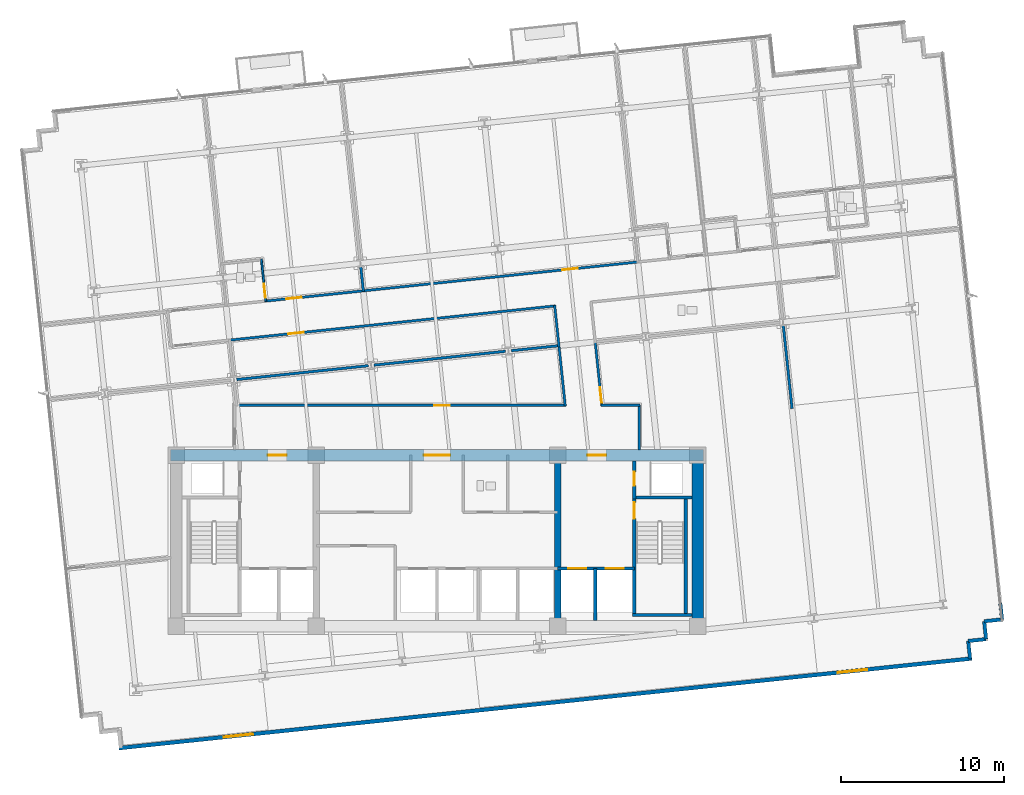
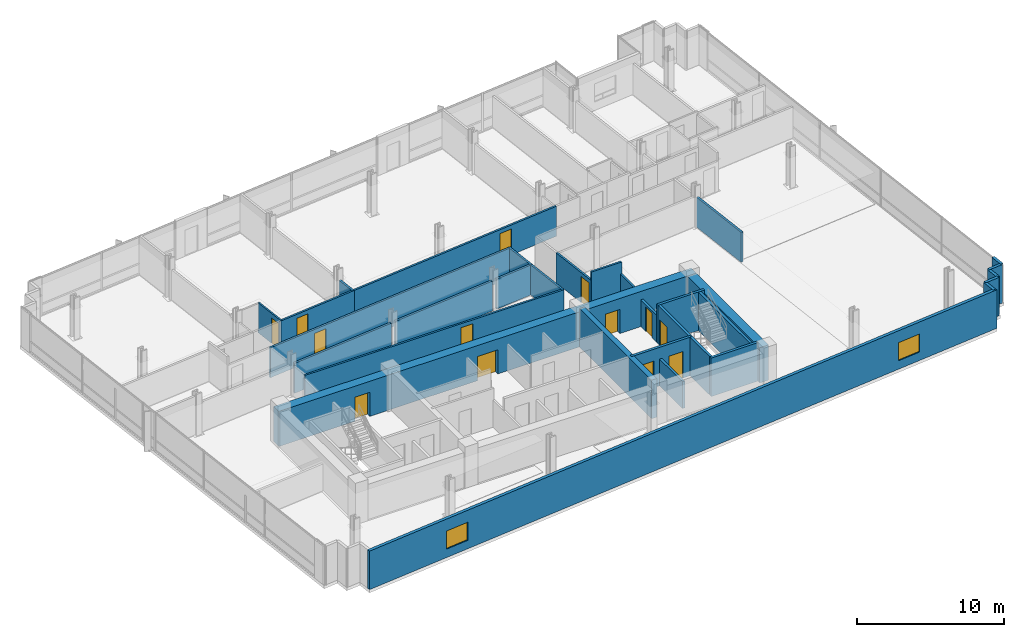
# One storey, part 14 of 20: 31 walls, 13 doors, 2 windows, 15 openings.
"""IFC4 building model written with IfcOpenShell, lengths in metres."""

from ifc_helpers import new_model, si_unit, direction, frame, frame_2d, origin, place, context, subcontext, project, spatial, rectangle, extrude, material, layer, layer_set, type_object, element, fill, save


model = new_model("IFC4")

# Units and contexts
model_context = context("Model", 3, precision=1e-05, world=origin(), true_north=direction((0.0, 1.0)))
body_context = subcontext(model_context, "Body", "Model", "MODEL_VIEW")
ifc_project = project(units=[si_unit("LENGTHUNIT", "METRE"), si_unit("AREAUNIT", "SQUARE_METRE"), si_unit("VOLUMEUNIT", "CUBIC_METRE"), si_unit("PLANEANGLEUNIT", "RADIAN"), si_unit("MASSUNIT", "GRAM", prefix="KILO")], contexts=[model_context])

# Site, building, storey
site_placement = place(None, origin())
site = spatial("IfcSite", under=ifc_project, at=site_placement, CompositionType="ELEMENT")
building_placement = place(site_placement, origin())
building = spatial("IfcBuilding", under=site, at=building_placement, Name="Solmavex Isthmus Hotel", CompositionType="ELEMENT")
storey_placement = place(building_placement, frame((0.0, 0.0, 109.800048828125)))
storey = spatial("IfcBuildingStorey", under=building, at=storey_placement, Name="L29", CompositionType="ELEMENT", Elevation=109.800048828125)

# Wall, openings, windows
ifc_material_1 = material(Name="Precast Concrete C40/50", Category="concrete")
ifc_layer_1 = layer(ifc_material_1, 0.25)
ifc_layer_set_1 = layer_set([ifc_layer_1], Name="Precast Concrete C40/50")
wall_type_1 = type_object("IfcWallType", Name="EW-TWR-250", PredefinedType="STANDARD", material=ifc_layer_set_1)
wall_1_placement = place(storey_placement, frame((-19.504150390625, -20.4716796875, 0.0), z_axis=(0.0, 0.0, 1.0), x_axis=(0.994521743132, 0.104529911687, 0.0)))
wall_1 = element("IfcWall", 1, at=wall_1_placement, inside=storey, type_object=wall_type_1, Name="Tower Rear South Facade Wall L29", PredefinedType="STANDARD", context=body_context, shape_type="SweptSolid", body=[
    extrude(rectangle(XDim=52.60009765625, YDim=0.239990234375, at=frame_2d((26.300048828125, 0.0))), origin(), (0.0, 0.0, 1.0), 3.18994140625),
])
opening_1_placement = place(wall_1_placement, frame((6.464111328125, 0.0, 0.699951171875)))
opening_1 = element("IfcOpeningElement", 2, at=opening_1_placement, cuts=wall_1, Name="Opening WN-02", PredefinedType="OPENING", context=body_context, shape_type="SweptSolid", body=[
    extrude(rectangle(XDim=1.800048828125, YDim=1.5, at=frame_2d((0.89990234375, 0.75))), frame((0.0, 0.1298828125, 0.0), z_axis=(0.0, -1.0, 0.0), x_axis=(1.0, 0.0, 0.0)), (0.0, 0.0, 1.0), 0.260009765625),
])
opening_2_placement = place(wall_1_placement, frame((44.3359375, 0.0, 0.699951171875)))
opening_2 = element("IfcOpeningElement", 3, at=opening_2_placement, cuts=wall_1, Name="Opening WN-02", PredefinedType="OPENING", context=body_context, shape_type="SweptSolid", body=[
    extrude(rectangle(XDim=1.800048828125, YDim=1.5, at=frame_2d((0.89990234375, 0.75))), frame((0.0, 0.1298828125, 0.0), z_axis=(0.0, -1.0, 0.0), x_axis=(1.0, 0.0, 0.0)), (0.0, 0.0, 1.0), 0.260009765625),
])
ifc_material_2 = material(Name="Clear low-E laminated glass", Category="glass")
window_type = type_object("IfcWindowType", Name="WIN-TWR-1800", PartitioningType="SINGLE_PANEL", PredefinedType="WINDOW", material=ifc_material_2)
window_1_placement = place(opening_1_placement, origin())
window_1 = element("IfcWindow", 4, at=window_1_placement, inside=storey, type_object=window_type, Name="South Facade Vision Window L29-S1", OverallHeight=1.5, OverallWidth=1.800048828125, PartitioningType="SINGLE_PANEL", PredefinedType="WINDOW", context=body_context, shape_type="SweptSolid", body=[
    extrude(rectangle(XDim=1.800048828125, YDim=1.5, at=frame_2d((0.89990234375, 0.75))), frame((0.0, 0.030029296875, 0.0), z_axis=(0.0, -1.0, 0.0), x_axis=(1.0, 0.0, 0.0)), (0.0, 0.0, 1.0), 0.06005859375),
])
fill(opening_1, window_1)
window_2_placement = place(opening_2_placement, origin())
window_2 = element("IfcWindow", 5, at=window_2_placement, inside=storey, type_object=window_type, Name="South Facade Vision Window L29-S2", OverallHeight=1.5, OverallWidth=1.800048828125, PartitioningType="SINGLE_PANEL", PredefinedType="WINDOW", context=body_context, shape_type="SweptSolid", body=[
    extrude(rectangle(XDim=1.800048828125, YDim=1.5, at=frame_2d((0.89990234375, 0.75))), frame((0.0, 0.030029296875, 0.0), z_axis=(0.0, -1.0, 0.0), x_axis=(1.0, 0.0, 0.0)), (0.0, 0.0, 1.0), 0.06005859375),
])
fill(opening_2, window_2)

# Walls
wall_2_placement = place(storey_placement, frame((34.553955078125, -11.59228515625, 0.0), z_axis=(0.0, 0.0, 1.0), x_axis=(0.104556418955, -0.99451895671, 0.0)))
element("IfcWall", 6, at=wall_2_placement, inside=storey, type_object=wall_type_1, Name="Serrated Corner Facade Panel L29-21", PredefinedType="STANDARD", context=body_context, shape_type="SweptSolid", body=[
    extrude(rectangle(XDim=0.989990234375, YDim=0.219970703125, at=frame_2d((0.4951171875, 0.0))), origin(), (0.0, 0.0, 1.0), 3.18994140625),
])
for number, where, z_axis, x_axis, name in (
    (7, (34.657470703125, -12.576904296875, 0.0), (0.0, 0.0, 1.0), (-0.994521251134, -0.104534592565, 0.0), "Serrated Corner Facade Panel L29-22"),
    (8, (33.5634765625, -12.69189453125, 0.0), (0.0, 0.0, 1.0), (0.104534592565, -0.994521251134, 0.0), "Serrated Corner Facade Panel L29-23"),
    (9, (33.678466796875, -13.785888671875, 0.0), (0.0, 0.0, 1.0), (-0.994521251134, -0.104534592565, 0.0), "Serrated Corner Facade Panel L29-24"),
    (10, (32.58447265625, -13.90087890625, 0.0), (0.0, 0.0, 1.0), (0.104534592565, -0.994521251134, 0.0), "Serrated Corner Facade Panel L29-25"),
):
    element("IfcWall", number, at=place(storey_placement, frame(where, z_axis=z_axis, x_axis=x_axis)), inside=storey, type_object=wall_type_1, Name=name, PredefinedType="STANDARD", context=body_context, shape_type="SweptSolid", body=[
        extrude(rectangle(XDim=1.10009765625, YDim=0.219970703125, at=frame_2d((0.550048828125, 0.0))), origin(), (0.0, 0.0, 1.0), 3.18994140625),
    ])
ifc_material_3 = material(Name="Gypsum plasterboard lining", Category="gypsum")
ifc_layer_2 = layer(ifc_material_3, 0.159912109375)
ifc_layer_set_2 = layer_set([ifc_layer_2], Name="Gypsum plasterboard lining")
wall_type_2 = type_object("IfcWallType", Name="IW-COMP-160", PredefinedType="PARTITIONING", material=ifc_layer_set_2)
wall_3_placement = place(storey_placement, frame((-4.678955078125, 9.091796875, 0.0), z_axis=(0.0, 0.0, 1.0), x_axis=(0.104424383811, -0.994532829054, 0.0)))
element("IfcWall", 11, at=wall_3_placement, inside=storey, type_object=wall_type_2, Name="Interior Partition Wall W-L29-P032", PredefinedType="PARTITIONING", context=body_context, shape_type="SweptSolid", body=[
    extrude(rectangle(XDim=1.561767578125, YDim=0.159912109375, at=frame_2d((0.78076171875, 0.0))), origin(), (0.0, 0.0, 1.0), 2.4794921875),
])
wall_4_placement = place(storey_placement, frame((-4.21435546875, 2.985107421875, 0.0), z_axis=(0.0, 0.0, 1.0), x_axis=(-0.994521269983, -0.104534413238, 0.0)))
element("IfcWall", 12, at=wall_4_placement, inside=storey, type_object=wall_type_2, Name="Interior Partition Wall W-L29-P060", PredefinedType="PARTITIONING", context=body_context, shape_type="SweptSolid", body=[
    extrude(rectangle(XDim=8.113525390625, YDim=0.159912109375, at=frame_2d((4.056640625, 0.0))), origin(), (0.0, 0.0, 1.0), 2.4794921875),
])
wall_5_placement = place(storey_placement, frame((4.205322265625, 3.8701171875, 0.0), z_axis=(0.0, 0.0, 1.0), x_axis=(-0.994521598781, -0.104531285071, 0.0)))
element("IfcWall", 13, at=wall_5_placement, inside=storey, type_object=wall_type_2, Name="Interior Partition Wall W-L29-P061", PredefinedType="PARTITIONING", context=body_context, shape_type="SweptSolid", body=[
    extrude(rectangle(XDim=8.11376953125, YDim=0.159912109375, at=frame_2d((4.056884765625, 0.0))), origin(), (0.0, 0.0, 1.0), 2.4794921875),
])
wall_6_placement = place(storey_placement, frame((7.51611328125, 4.218017578125, 0.0), z_axis=(0.0, 0.0, 1.0), x_axis=(-0.994526106058, -0.104488393462, 0.0)))
element("IfcWall", 14, at=wall_6_placement, inside=storey, type_object=wall_type_2, Name="Interior Partition Wall W-L29-P062", PredefinedType="PARTITIONING", context=body_context, shape_type="SweptSolid", body=[
    extrude(rectangle(XDim=2.976806640625, YDim=0.159912109375, at=frame_2d((1.48828125, 0.0))), origin(), (0.0, 0.0, 1.0), 2.4794921875),
])
wall_7_placement = place(storey_placement, frame((21.77783203125, 0.34765625, 0.0), z_axis=(0.0, 0.0, 1.0), x_axis=(-0.10453465518, 0.994521244553, 0.0)))
element("IfcWall", 15, at=wall_7_placement, inside=storey, type_object=wall_type_2, Name="Interior Partition Wall W-L29-P065", PredefinedType="PARTITIONING", context=body_context, shape_type="SweptSolid", body=[
    extrude(rectangle(XDim=5.163818359375, YDim=0.159912109375, at=frame_2d((2.58203125, 0.0))), origin(), (0.0, 0.0, 1.0), 2.4794921875),
])

# Wall, opening, door
ifc_layer_3 = layer(ifc_material_3, 0.14990234375)
ifc_layer_set_3 = layer_set([ifc_layer_3], Name="Gypsum plasterboard lining")
wall_type_3 = type_object("IfcWallType", Name="IW-CORR-150", PredefinedType="PARTITIONING", material=ifc_layer_set_3)
wall_8_placement = place(storey_placement, frame((-10.58447265625, 6.94091796875, 0.0), z_axis=(0.0, 0.0, 1.0), x_axis=(0.994521460108, 0.104532604411, 0.0)))
wall_8 = element("IfcWall", 16, at=wall_8_placement, inside=storey, type_object=wall_type_3, Name="Interior Partition Wall W-L29-P002", PredefinedType="PARTITIONING", context=body_context, shape_type="SweptSolid", body=[
    extrude(rectangle(XDim=6.179931640625, YDim=0.14990234375, at=frame_2d((3.08984375, 0.0))), origin(), (0.0, 0.0, 1.0), 2.4794921875),
])
opening_3_placement = place(wall_8_placement, frame((1.333984375, 0.0, 0.0)))
opening_3 = element("IfcOpeningElement", 17, at=opening_3_placement, cuts=wall_8, Name="Opening ID-C095", PredefinedType="OPENING", context=body_context, shape_type="SweptSolid", body=[
    extrude(rectangle(XDim=0.949951171875, YDim=2.14990234375, at=frame_2d((0.47509765625, 1.074951171875))), frame((0.0, 0.0849609375, 0.0), z_axis=(0.0, -1.0, 0.0), x_axis=(1.0, 0.0, 0.0)), (0.0, 0.0, 1.0), 0.169921875),
])
ifc_material_4 = material(Name="Hardwood timber", Category="wood")
door_type_1 = type_object("IfcDoorType", Name="IDR-FD60-0950", OperationType="NOTDEFINED", PredefinedType="DOOR", material=ifc_material_4)
door_1_placement = place(opening_3_placement, frame((0.949951171875, 0.0, 0.0), z_axis=(0.0, 0.0, 1.0), x_axis=(-1.0, 0.0, 0.0)))
door_1 = element("IfcDoor", 18, at=door_1_placement, inside=storey, type_object=door_type_1, Name="Premier Suite Door L29-02", OperationType="SINGLE_SWING_RIGHT", OverallHeight=2.14990234375, OverallWidth=0.949951171875, PredefinedType="DOOR", context=body_context, shape_type="SweptSolid", body=[
    extrude(rectangle(XDim=0.949951171875, YDim=2.14990234375, at=frame_2d((0.47509765625, 1.074951171875))), frame((0.0, 0.02490234375, 0.0), z_axis=(0.0, -1.0, 0.0), x_axis=(1.0, 0.0, 0.0)), (0.0, 0.0, 1.0), 0.050048828125),
])
fill(opening_3, door_1)

wall_9_placement = place(storey_placement, frame((-4.6015625, 7.56982421875, 0.0), z_axis=(0.0, 0.0, 1.0), x_axis=(0.994522888708, 0.104519011838, 0.0)))
wall_9 = element("IfcWall", 19, at=wall_9_placement, inside=storey, type_object=wall_type_3, Name="Interior Partition Wall W-L29-P004", PredefinedType="PARTITIONING", context=body_context, shape_type="SweptSolid", body=[
    extrude(rectangle(XDim=17.09619140625, YDim=0.14990234375, at=frame_2d((8.548095703125, 0.0))), origin(), (0.0, 0.0, 1.0), 2.4794921875),
])
opening_4_placement = place(wall_9_placement, frame((12.361083984375, 0.0, 0.0)))
opening_4 = element("IfcOpeningElement", 20, at=opening_4_placement, cuts=wall_9, Name="Opening ID-C095", PredefinedType="OPENING", context=body_context, shape_type="SweptSolid", body=[
    extrude(rectangle(XDim=0.949951171875, YDim=2.14990234375, at=frame_2d((0.47509765625, 1.074951171875))), frame((0.0, 0.0849609375, 0.0), z_axis=(0.0, -1.0, 0.0), x_axis=(1.0, 0.0, 0.0)), (0.0, 0.0, 1.0), 0.169921875),
])
door_2_placement = place(opening_4_placement, frame((0.949951171875, 0.0, 0.0), z_axis=(0.0, 0.0, 1.0), x_axis=(-1.0, 0.0, 0.0)))
door_2 = element("IfcDoor", 21, at=door_2_placement, inside=storey, type_object=door_type_1, Name="Corporate Briefing Office Door L29-04", OperationType="SINGLE_SWING_RIGHT", OverallHeight=2.14990234375, OverallWidth=0.949951171875, PredefinedType="DOOR", context=body_context, shape_type="SweptSolid", body=[
    extrude(rectangle(XDim=0.949951171875, YDim=2.14990234375, at=frame_2d((0.47509765625, 1.074951171875))), frame((0.0, 0.02490234375, 0.0), z_axis=(0.0, -1.0, 0.0), x_axis=(1.0, 0.0, 0.0)), (0.0, 0.0, 1.0), 0.050048828125),
])
fill(opening_4, door_2)

# Wall
wall_10_placement = place(storey_placement, frame((7.485107421875, 4.13232421875, 0.0), z_axis=(0.0, 0.0, 1.0), x_axis=(-0.104605724594, 0.994513771841, 0.0)))
element("IfcWall", 22, at=wall_10_placement, inside=storey, type_object=wall_type_3, Name="Interior Partition Wall W-L29-P014", PredefinedType="PARTITIONING", context=body_context, shape_type="SweptSolid", body=[
    extrude(rectangle(XDim=2.572021484375, YDim=0.14990234375, at=frame_2d((1.2861328125, 0.0))), origin(), (0.0, 0.0, 1.0), 2.4794921875),
])

# Wall, opening, door
wall_11_placement = place(storey_placement, frame((7.260009765625, 6.654541015625, 0.0), z_axis=(0.0, 0.0, 1.0), x_axis=(-0.994522421445, -0.104523457861, 0.0)))
wall_11 = element("IfcWall", 23, at=wall_11_placement, inside=storey, type_object=wall_type_3, Name="Interior Partition Wall W-L29-P015", PredefinedType="PARTITIONING", context=body_context, shape_type="SweptSolid", body=[
    extrude(rectangle(XDim=20.166748046875, YDim=0.14990234375, at=frame_2d((10.08349609375, 0.0))), origin(), (0.0, 0.0, 1.0), 2.4794921875),
])
opening_5_placement = place(wall_11_placement, frame((15.51416015625, 0.0, 0.0)))
opening_5 = element("IfcOpeningElement", 24, at=opening_5_placement, cuts=wall_11, Name="Opening ID-C095", PredefinedType="OPENING", context=body_context, shape_type="SweptSolid", body=[
    extrude(rectangle(XDim=0.949951171875, YDim=2.14990234375, at=frame_2d((0.47509765625, 1.074951171875))), frame((0.0, 0.0849609375, 0.0), z_axis=(0.0, -1.0, 0.0), x_axis=(1.0, 0.0, 0.0)), (0.0, 0.0, 1.0), 0.169921875),
])
door_3_placement = place(opening_5_placement, frame((0.949951171875, 0.0, 0.0), z_axis=(0.0, 0.0, 1.0), x_axis=(-1.0, 0.0, 0.0)))
door_3 = element("IfcDoor", 25, at=door_3_placement, inside=storey, type_object=door_type_1, Name="Club Reading Library Door L29-15", OperationType="SINGLE_SWING_LEFT", OverallHeight=2.14990234375, OverallWidth=0.949951171875, PredefinedType="DOOR", context=body_context, shape_type="SweptSolid", body=[
    extrude(rectangle(XDim=0.949951171875, YDim=2.14990234375, at=frame_2d((0.47509765625, 1.074951171875))), frame((0.0, 0.02490234375, 0.0), z_axis=(0.0, -1.0, 0.0), x_axis=(1.0, 0.0, 0.0)), (0.0, 0.0, 1.0), 0.050048828125),
])
fill(opening_5, door_3)

wall_12_placement = place(storey_placement, frame((-12.376220703125, 0.550048828125, 0.0), z_axis=(0.0, 0.0, 1.0), x_axis=(1.0, 0.0, 0.0)))
wall_12 = element("IfcWall", 26, at=wall_12_placement, inside=storey, type_object=wall_type_3, Name="Interior Partition Wall W-L29-P016", PredefinedType="PARTITIONING", context=body_context, shape_type="SweptSolid", body=[
    extrude(rectangle(XDim=20.27783203125, YDim=0.14990234375, at=frame_2d((10.138916015625, 0.0))), origin(), (0.0, 0.0, 1.0), 2.4794921875),
])
opening_6_placement = place(wall_12_placement, frame((12.208740234375, 0.0, 0.0)))
opening_6 = element("IfcOpeningElement", 27, at=opening_6_placement, cuts=wall_12, Name="Opening ID-C095", PredefinedType="OPENING", context=body_context, shape_type="SweptSolid", body=[
    extrude(rectangle(XDim=0.949951171875, YDim=2.14990234375, at=frame_2d((0.47509765625, 1.074951171875))), frame((0.0, 0.0849609375, 0.0), z_axis=(0.0, -1.0, 0.0), x_axis=(1.0, 0.0, 0.0)), (0.0, 0.0, 1.0), 0.169921875),
])
door_4_placement = place(opening_6_placement, frame((0.949951171875, 0.0, 0.0), z_axis=(0.0, 0.0, 1.0), x_axis=(-1.0, 0.0, 0.0)))
door_4 = element("IfcDoor", 28, at=door_4_placement, inside=storey, type_object=door_type_1, Name="Executive Meeting Room Door L29-16", OperationType="SINGLE_SWING_RIGHT", OverallHeight=2.14990234375, OverallWidth=0.949951171875, PredefinedType="DOOR", context=body_context, shape_type="SweptSolid", body=[
    extrude(rectangle(XDim=0.949951171875, YDim=2.14990234375, at=frame_2d((0.47509765625, 1.074951171875))), frame((0.0, 0.02490234375, 0.0), z_axis=(0.0, -1.0, 0.0), x_axis=(1.0, 0.0, 0.0)), (0.0, 0.0, 1.0), 0.050048828125),
])
fill(opening_6, door_4)

# Wall
wall_13_placement = place(storey_placement, frame((7.86572265625, 0.51025390625, 0.0), z_axis=(0.0, 0.0, 1.0), x_axis=(-0.104557897706, 0.994518801244, 0.0)))
element("IfcWall", 29, at=wall_13_placement, inside=storey, type_object=wall_type_3, Name="Interior Partition Wall W-L29-P017", PredefinedType="PARTITIONING", context=body_context, shape_type="SweptSolid", body=[
    extrude(rectangle(XDim=3.805908203125, YDim=0.14990234375, at=frame_2d((1.90283203125, 0.0))), origin(), (0.0, 0.0, 1.0), 2.4794921875),
])

# Wall, opening, door
wall_14_placement = place(storey_placement, frame((9.695556640625, 4.529541015625, 0.0), z_axis=(0.0, 0.0, 1.0), x_axis=(0.104568433906, -0.994517693473, 0.0)))
wall_14 = element("IfcWall", 30, at=wall_14_placement, inside=storey, type_object=wall_type_3, Name="Interior Partition Wall W-L29-P021", PredefinedType="PARTITIONING", context=body_context, shape_type="SweptSolid", body=[
    extrude(rectangle(XDim=4.04150390625, YDim=0.14990234375, at=frame_2d((2.020751953125, 0.0))), origin(), (0.0, 0.0, 1.0), 2.4794921875),
])
opening_7_placement = place(wall_14_placement, frame((2.876708984375, 0.0, 0.0)))
opening_7 = element("IfcOpeningElement", 31, at=opening_7_placement, cuts=wall_14, Name="Opening ID-C095", PredefinedType="OPENING", context=body_context, shape_type="SweptSolid", body=[
    extrude(rectangle(XDim=0.949951171875, YDim=2.14990234375, at=frame_2d((0.47509765625, 1.074951171875))), frame((0.0, 0.0849609375, 0.0), z_axis=(0.0, -1.0, 0.0), x_axis=(1.0, 0.0, 0.0)), (0.0, 0.0, 1.0), 0.169921875),
])
door_5_placement = place(opening_7_placement, frame((0.949951171875, 0.0, 0.0), z_axis=(0.0, 0.0, 1.0), x_axis=(-1.0, 0.0, 0.0)))
door_5 = element("IfcDoor", 32, at=door_5_placement, inside=storey, type_object=door_type_1, Name="Corporate Briefing Office Door L29-20", OperationType="SINGLE_SWING_RIGHT", OverallHeight=2.14990234375, OverallWidth=0.949951171875, PredefinedType="DOOR", context=body_context, shape_type="SweptSolid", body=[
    extrude(rectangle(XDim=0.949951171875, YDim=2.14990234375, at=frame_2d((0.47509765625, 1.074951171875))), frame((0.0, 0.02490234375, 0.0), z_axis=(0.0, -1.0, 0.0), x_axis=(1.0, 0.0, 0.0)), (0.0, 0.0, 1.0), 0.050048828125),
])
fill(opening_7, door_5)

# Walls
wall_15_placement = place(storey_placement, frame((10.073974609375, 0.550048828125, 0.0), z_axis=(0.0, 0.0, 1.0), x_axis=(1.0, 0.0, 0.0)))
element("IfcWall", 33, at=wall_15_placement, inside=storey, type_object=wall_type_3, Name="Interior Partition Wall W-L29-P022", PredefinedType="PARTITIONING", context=body_context, shape_type="SweptSolid", body=[
    extrude(rectangle(XDim=2.365966796875, YDim=0.14990234375, at=frame_2d((1.18310546875, 0.0))), origin(), (0.0, 0.0, 1.0), 3.18994140625),
])
wall_16_placement = place(storey_placement, frame((12.39990234375, 0.590087890625, 0.0), z_axis=(0.0, 0.0, 1.0), x_axis=(0.0, -1.0, 0.0)))
element("IfcWall", 34, at=wall_16_placement, inside=storey, type_object=wall_type_3, Name="Interior Partition Wall W-L29-P023", PredefinedType="PARTITIONING", context=body_context, shape_type="SweptSolid", body=[
    extrude(rectangle(XDim=2.780029296875, YDim=0.14990234375, at=frame_2d((1.39013671875, 0.0))), origin(), (0.0, 0.0, 1.0), 2.224853515625),
])

# Wall, opening, door
ifc_layer_4 = layer(ifc_material_3, 0.1201171875)
ifc_layer_set_4 = layer_set([ifc_layer_4], Name="Gypsum plasterboard lining")
wall_type_4 = type_object("IfcWallType", Name="IW-PART-120", PredefinedType="PARTITIONING", material=ifc_layer_set_4)
wall_17_placement = place(storey_placement, frame((-10.498779296875, 6.90966796875, 0.0), z_axis=(0.0, 0.0, 1.0), x_axis=(-0.104520496269, 0.994522732701, 0.0)))
wall_17 = element("IfcWall", 35, at=wall_17_placement, inside=storey, type_object=wall_type_4, Name="Interior Partition Wall W-L29-P028", PredefinedType="PARTITIONING", context=body_context, shape_type="SweptSolid", body=[
    extrude(rectangle(XDim=2.630126953125, YDim=0.1201171875, at=frame_2d((1.31494140625, 0.0))), origin(), (0.0, 0.0, 1.0), 2.4794921875),
])
opening_8_placement = place(wall_17_placement, frame((0.247314453125, 0.0, 0.0)))
opening_8 = element("IfcOpeningElement", 36, at=opening_8_placement, cuts=wall_17, Name="Opening ID-U085", PredefinedType="OPENING", context=body_context, shape_type="SweptSolid", body=[
    extrude(rectangle(XDim=0.85009765625, YDim=2.10009765625, at=frame_2d((0.425048828125, 1.050048828125))), frame((0.0, 0.070068359375, 0.0), z_axis=(0.0, -1.0, 0.0), x_axis=(1.0, 0.0, 0.0)), (0.0, 0.0, 1.0), 0.14013671875),
])
door_type_2 = type_object("IfcDoorType", Name="IDR-UNR-0850", OperationType="NOTDEFINED", PredefinedType="DOOR", material=ifc_material_4)
door_6_placement = place(opening_8_placement, frame((0.85009765625, 0.0, 0.0), z_axis=(0.0, 0.0, 1.0), x_axis=(-1.0, 0.0, 0.0)))
door_6 = element("IfcDoor", 37, at=door_6_placement, inside=storey, type_object=door_type_2, Name="En-suite Bathroom Door L29-03", OperationType="SINGLE_SWING_LEFT", OverallHeight=2.10009765625, OverallWidth=0.85009765625, PredefinedType="DOOR", context=body_context, shape_type="SweptSolid", body=[
    extrude(rectangle(XDim=0.85009765625, YDim=2.10009765625, at=frame_2d((0.425048828125, 1.050048828125))), frame((0.0, 0.02490234375, 0.0), z_axis=(0.0, -1.0, 0.0), x_axis=(1.0, 0.0, 0.0)), (0.0, 0.0, 1.0), 0.050048828125),
])
fill(opening_8, door_6)

ifc_material_5 = material(Name="Concrete C40/50", Category="concrete")
ifc_layer_5 = layer(ifc_material_5, 0.199951171875)
ifc_layer_set_5 = layer_set([ifc_layer_5], Name="Concrete C40/50")
wall_type_5 = type_object("IfcWallType", Name="IW-SHAFT-200", PredefinedType="PARTITIONING", material=ifc_layer_set_5)
wall_18_placement = place(storey_placement, frame((12.10009765625, -5.199951171875, 0.0), z_axis=(0.0, 0.0, 1.0), x_axis=(0.0, 1.0, 0.0)))
wall_18 = element("IfcWall", 38, at=wall_18_placement, inside=storey, type_object=wall_type_5, Name="Interior Partition Wall W-L29-RSE-W", PredefinedType="PARTITIONING", context=body_context, shape_type="SweptSolid", body=[
    extrude(rectangle(XDim=2.349853515625, YDim=0.199951171875, at=frame_2d((1.1748046875, 0.0))), origin(), (0.0, 0.0, 1.0), 2.224853515625),
])
opening_9_placement = place(wall_18_placement, frame((0.824951171875, 0.0, 0.0)))
opening_9 = element("IfcOpeningElement", 39, at=opening_9_placement, cuts=wall_18, Name="Opening ID-R085", PredefinedType="OPENING", context=body_context, shape_type="SweptSolid", body=[
    extrude(rectangle(XDim=0.85009765625, YDim=2.050048828125, at=frame_2d((0.425048828125, 1.02490234375))), frame((0.0, 0.10986328125, 0.0), z_axis=(0.0, -1.0, 0.0), x_axis=(1.0, 0.0, 0.0)), (0.0, 0.0, 1.0), 0.219970703125),
])
ifc_material_6 = material(Name="Steel ASTM A500 Grade C", Category="steel")
door_type_3 = type_object("IfcDoorType", Name="IDR-FD60-0850", OperationType="NOTDEFINED", PredefinedType="DOOR", material=ifc_material_6)
door_7_placement = place(opening_9_placement, frame((0.85009765625, 0.0, 0.0), z_axis=(0.0, 0.0, 1.0), x_axis=(-1.0, 0.0, 0.0)))
door_7 = element("IfcDoor", 40, at=door_7_placement, inside=storey, type_object=door_type_3, Name="Mechanical Riser Door L29", OperationType="SINGLE_SWING_LEFT", OverallHeight=2.050048828125, OverallWidth=0.85009765625, PredefinedType="DOOR", context=body_context, shape_type="SweptSolid", body=[
    extrude(rectangle(XDim=0.85009765625, YDim=2.050048828125, at=frame_2d((0.425048828125, 1.02490234375))), frame((0.0, 0.02490234375, 0.0), z_axis=(0.0, -1.0, 0.0), x_axis=(1.0, 0.0, 0.0)), (0.0, 0.0, 1.0), 0.050048828125),
])
fill(opening_9, door_7)

# Wall, openings, doors
wall_19_placement = place(storey_placement, frame((7.39990234375, -9.449951171875, 0.0), z_axis=(0.0, 0.0, 1.0), x_axis=(1.0, 0.0, 0.0)))
wall_19 = element("IfcWall", 41, at=wall_19_placement, inside=storey, type_object=wall_type_5, Name="Interior Partition Wall W-L29-FFLE-S", PredefinedType="PARTITIONING", context=body_context, shape_type="SweptSolid", body=[
    extrude(rectangle(XDim=4.7001953125, YDim=0.199951171875, at=frame_2d((2.35009765625, 0.0))), origin(), (0.0, 0.0, 1.0), 3.18994140625),
])
opening_10_placement = place(wall_19_placement, frame((2.949951171875, 0.0, 0.0)))
opening_10 = element("IfcOpeningElement", 42, at=opening_10_placement, cuts=wall_19, Name="Opening LD-FF", PredefinedType="OPENING", context=body_context, shape_type="SweptSolid", body=[
    extrude(rectangle(XDim=1.10009765625, YDim=2.199951171875, at=frame_2d((0.550048828125, 1.10009765625))), frame((0.0, 0.10986328125, 0.0), z_axis=(0.0, -1.0, 0.0), x_axis=(1.0, 0.0, 0.0)), (0.0, 0.0, 1.0), 0.219970703125),
])
opening_11_placement = place(wall_19_placement, frame((0.64990234375, 0.0, 0.0)))
opening_11 = element("IfcOpeningElement", 43, at=opening_11_placement, cuts=wall_19, Name="Opening LD-SV", PredefinedType="OPENING", context=body_context, shape_type="SweptSolid", body=[
    extrude(rectangle(XDim=1.10009765625, YDim=2.199951171875, at=frame_2d((0.550048828125, 1.10009765625))), frame((0.0, 0.10986328125, 0.0), z_axis=(0.0, -1.0, 0.0), x_axis=(1.0, 0.0, 0.0)), (0.0, 0.0, 1.0), 0.219970703125),
])
ifc_material_7 = material(Name="Stainless steel 316", Category="steel")
door_type_4 = type_object("IfcDoorType", Name="LDR-FF-1100", OperationType="NOTDEFINED", PredefinedType="DOOR", material=ifc_material_7)
door_8_placement = place(opening_10_placement, origin())
door_8 = element("IfcDoor", 44, at=door_8_placement, inside=storey, type_object=door_type_4, Name="Lift Landing Door FFL-2 L29", OperationType="SLIDING_TO_LEFT", OverallHeight=2.199951171875, OverallWidth=1.10009765625, PredefinedType="DOOR", context=body_context, shape_type="SweptSolid", body=[
    extrude(rectangle(XDim=1.10009765625, YDim=2.199951171875, at=frame_2d((0.550048828125, 1.10009765625))), frame((0.0, 0.02490234375, 0.0), z_axis=(0.0, -1.0, 0.0), x_axis=(1.0, 0.0, 0.0)), (0.0, 0.0, 1.0), 0.050048828125),
])
fill(opening_10, door_8)
door_type_5 = type_object("IfcDoorType", Name="LDR-SV-1100", OperationType="NOTDEFINED", PredefinedType="DOOR", material=ifc_material_7)
door_9_placement = place(opening_11_placement, origin())
door_9 = element("IfcDoor", 45, at=door_9_placement, inside=storey, type_object=door_type_5, Name="Lift Landing Door SVL-2 L29", OperationType="SLIDING_TO_RIGHT", OverallHeight=2.199951171875, OverallWidth=1.10009765625, PredefinedType="DOOR", context=body_context, shape_type="SweptSolid", body=[
    extrude(rectangle(XDim=1.10009765625, YDim=2.199951171875, at=frame_2d((0.550048828125, 1.10009765625))), frame((0.0, 0.02490234375, 0.0), z_axis=(0.0, -1.0, 0.0), x_axis=(1.0, 0.0, 0.0)), (0.0, 0.0, 1.0), 0.050048828125),
])
fill(opening_11, door_9)

# Walls
wall_20_placement = place(storey_placement, frame((9.699951171875, -12.64990234375, 0.0), z_axis=(0.0, 0.0, 1.0), x_axis=(0.0, 1.0, 0.0)))
element("IfcWall", 46, at=wall_20_placement, inside=storey, type_object=wall_type_5, Name="Interior Partition Wall W-L29-FFLE-M", PredefinedType="PARTITIONING", context=body_context, shape_type="SweptSolid", body=[
    extrude(rectangle(XDim=3.199951171875, YDim=0.199951171875, at=frame_2d((1.60009765625, 0.0))), origin(), (0.0, 0.0, 1.0), 2.224853515625),
])
ifc_material_8 = material(Name="Concrete C60/75", Category="concrete")
ifc_layer_6 = layer(ifc_material_8, 0.39990234375)
ifc_layer_set_6 = layer_set([ifc_layer_6], Name="Concrete C60/75")
wall_type_6 = type_object("IfcWallType", Name="WALL-CW-400M", PredefinedType="SHEAR", material=ifc_layer_set_6)
wall_21_placement = place(storey_placement, frame((7.39990234375, -12.64990234375, 0.0), z_axis=(0.0, 0.0, 1.0), x_axis=(0.0, 1.0, 0.0)))
element("IfcWall", 47, at=wall_21_placement, inside=storey, type_object=wall_type_6, Name="Core Cross Shear Wall C2 L29", PredefinedType="SHEAR", context=body_context, shape_type="SweptSolid", body=[
    extrude(rectangle(XDim=9.7998046875, YDim=0.39990234375, at=frame_2d((4.89990234375, 0.0))), origin(), (0.0, 0.0, 1.0), 3.18994140625),
])

# Wall, openings, doors
ifc_layer_7 = layer(ifc_material_8, 0.699951171875)
ifc_layer_set_7 = layer_set([ifc_layer_7], Name="Concrete C60/75")
wall_type_7 = type_object("IfcWallType", Name="WALL-CW-700", PredefinedType="SHEAR", material=ifc_layer_set_7)
wall_22_placement = place(storey_placement, frame((-16.35009765625, -2.5, 0.0), z_axis=(0.0, 0.0, 1.0), x_axis=(1.0, 0.0, 0.0)))
wall_22 = element("IfcWall", 48, at=wall_22_placement, inside=storey, type_object=wall_type_7, Name="Core Shear Wall North L29", PredefinedType="SHEAR", context=body_context, shape_type="SweptSolid", body=[
    extrude(rectangle(XDim=32.7001953125, YDim=0.699951171875, at=frame_2d((16.35009765625, 0.0))), origin(), (0.0, 0.0, 1.0), 2.909912109375),
])
opening_12_placement = place(wall_22_placement, frame((5.97509765625, 0.0, 0.0)))
opening_12 = element("IfcOpeningElement", 49, at=opening_12_placement, cuts=wall_22, Name="Opening ID-F915", PredefinedType="OPENING", context=body_context, shape_type="SweptSolid", body=[
    extrude(rectangle(XDim=1.14990234375, YDim=2.0, at=frame_2d((0.574951171875, 1.0))), frame((0.0, 0.35986328125, 0.0), z_axis=(0.0, -1.0, 0.0), x_axis=(1.0, 0.0, 0.0)), (0.0, 0.0, 1.0), 0.719970703125),
])
opening_13_placement = place(wall_22_placement, frame((15.550048828125, 0.0, 0.0)))
opening_13 = element("IfcOpeningElement", 50, at=opening_13_placement, cuts=wall_22, Name="Opening ID-F960", PredefinedType="OPENING", context=body_context, shape_type="SweptSolid", body=[
    extrude(rectangle(XDim=1.60009765625, YDim=2.0, at=frame_2d((0.800048828125, 1.0))), frame((0.0, 0.35986328125, 0.0), z_axis=(0.0, -1.0, 0.0), x_axis=(1.0, 0.0, 0.0)), (0.0, 0.0, 1.0), 0.719970703125),
])
opening_14_placement = place(wall_22_placement, frame((25.574951171875, 0.0, 0.0)))
opening_14 = element("IfcOpeningElement", 51, at=opening_14_placement, cuts=wall_22, Name="Opening ID-F915", PredefinedType="OPENING", context=body_context, shape_type="SweptSolid", body=[
    extrude(rectangle(XDim=1.14990234375, YDim=2.0, at=frame_2d((0.574951171875, 1.0))), frame((0.0, 0.35986328125, 0.0), z_axis=(0.0, -1.0, 0.0), x_axis=(1.0, 0.0, 0.0)), (0.0, 0.0, 1.0), 0.719970703125),
])
door_type_6 = type_object("IfcDoorType", Name="IDR-FD90-1150C", OperationType="NOTDEFINED", PredefinedType="DOOR", material=ifc_material_6)
door_10_placement = place(opening_12_placement, origin())
door_10 = element("IfcDoor", 52, at=door_10_placement, inside=storey, type_object=door_type_6, Name="Firefighting Lobby West Exit Door L29", OperationType="SINGLE_SWING_LEFT", OverallHeight=2.0, OverallWidth=1.14990234375, PredefinedType="DOOR", context=body_context, shape_type="SweptSolid", body=[
    extrude(rectangle(XDim=1.14990234375, YDim=2.0, at=frame_2d((0.574951171875, 1.0))), frame((0.0, 0.02490234375, 0.0), z_axis=(0.0, -1.0, 0.0), x_axis=(1.0, 0.0, 0.0)), (0.0, 0.0, 1.0), 0.050048828125),
])
fill(opening_12, door_10)
door_11_placement = place(opening_14_placement, origin())
door_11 = element("IfcDoor", 53, at=door_11_placement, inside=storey, type_object=door_type_6, Name="Firefighting Lobby East Exit Door L29", OperationType="SINGLE_SWING_RIGHT", OverallHeight=2.0, OverallWidth=1.14990234375, PredefinedType="DOOR", context=body_context, shape_type="SweptSolid", body=[
    extrude(rectangle(XDim=1.14990234375, YDim=2.0, at=frame_2d((0.574951171875, 1.0))), frame((0.0, 0.02490234375, 0.0), z_axis=(0.0, -1.0, 0.0), x_axis=(1.0, 0.0, 0.0)), (0.0, 0.0, 1.0), 0.050048828125),
])
fill(opening_14, door_11)
door_type_7 = type_object("IfcDoorType", Name="IDR-FD90-1600C", OperationType="NOTDEFINED", PredefinedType="DOOR", material=ifc_material_6)
door_12_placement = place(opening_13_placement, origin())
door_12 = element("IfcDoor", 54, at=door_12_placement, inside=storey, type_object=door_type_7, Name="Central Lift Lobby Door L29", OperationType="DOUBLE_DOOR_SINGLE_SWING", OverallHeight=2.0, OverallWidth=1.60009765625, PredefinedType="DOOR", context=body_context, shape_type="SweptSolid", body=[
    extrude(rectangle(XDim=1.60009765625, YDim=2.0, at=frame_2d((0.800048828125, 1.0))), frame((0.0, 0.02490234375, 0.0), z_axis=(0.0, -1.0, 0.0), x_axis=(1.0, 0.0, 0.0)), (0.0, 0.0, 1.0), 0.050048828125),
])
fill(opening_13, door_12)

# Walls
wall_23_placement = place(storey_placement, frame((16.0, -12.64990234375, 0.0), z_axis=(0.0, 0.0, 1.0), x_axis=(0.0, 1.0, 0.0)))
element("IfcWall", 55, at=wall_23_placement, inside=storey, type_object=wall_type_7, Name="Core Shear Wall East L29", PredefinedType="SHEAR", context=body_context, shape_type="SweptSolid", body=[
    extrude(rectangle(XDim=9.7998046875, YDim=0.699951171875, at=frame_2d((4.89990234375, 0.0))), origin(), (0.0, 0.0, 1.0), 2.909912109375),
])
ifc_layer_8 = layer(ifc_material_5, 0.199951171875)
ifc_layer_set_8 = layer_set([ifc_layer_8], Name="Concrete C40/50")
wall_type_8 = type_object("IfcWallType", Name="WALL-SW-200", PredefinedType="SOLIDWALL", material=ifc_layer_set_8)
for number, where, z_axis, x_axis, name in (
    (56, (12.0, -12.300048828125, 0.0), (0.0, 0.0, 1.0), (1.0, 0.0, 0.0), "Stairwell Structural Wall SW-L29-ST2-S"),
    (57, (12.0, -5.10009765625, 0.0), (0.0, 0.0, 1.0), (1.0, 0.0, 0.0), "Stairwell Structural Wall SW-L29-ST2-N"),
):
    element("IfcWall", number, at=place(storey_placement, frame(where, z_axis=z_axis, x_axis=x_axis)), inside=storey, type_object=wall_type_8, Name=name, PredefinedType="SOLIDWALL", context=body_context, shape_type="SweptSolid", body=[
        extrude(rectangle(XDim=3.64990234375, YDim=0.199951171875, at=frame_2d((1.824951171875, 0.0))), origin(), (0.0, 0.0, 1.0), 3.18994140625),
    ])

# Wall, opening, door
wall_24_placement = place(storey_placement, frame((12.10009765625, -12.199951171875, 0.0), z_axis=(0.0, 0.0, 1.0), x_axis=(0.0, 1.0, 0.0)))
wall_24 = element("IfcWall", 58, at=wall_24_placement, inside=storey, type_object=wall_type_8, Name="Stairwell Structural Wall SW-L29-ST2-W", PredefinedType="SOLIDWALL", context=body_context, shape_type="SweptSolid", body=[
    extrude(rectangle(XDim=7.0, YDim=0.199951171875, at=frame_2d((3.5, 0.0))), origin(), (0.0, 0.0, 1.0), 3.18994140625),
])
opening_15_placement = place(wall_24_placement, frame((5.800048828125, 0.0, 0.0)))
opening_15 = element("IfcOpeningElement", 59, at=opening_15_placement, cuts=wall_24, Name="Opening ID-F100", PredefinedType="OPENING", context=body_context, shape_type="SweptSolid", body=[
    extrude(rectangle(XDim=1.0, YDim=2.10009765625, at=frame_2d((0.5, 1.050048828125))), frame((0.0, 0.10986328125, 0.0), z_axis=(0.0, -1.0, 0.0), x_axis=(1.0, 0.0, 0.0)), (0.0, 0.0, 1.0), 0.219970703125),
])
door_type_8 = type_object("IfcDoorType", Name="IDR-FD90-1000", OperationType="NOTDEFINED", PredefinedType="DOOR", material=ifc_material_6)
door_13_placement = place(opening_15_placement, origin())
door_13 = element("IfcDoor", 60, at=door_13_placement, inside=storey, type_object=door_type_8, Name="Stair ST-2 Fire Door L29", OperationType="SINGLE_SWING_RIGHT", OverallHeight=2.10009765625, OverallWidth=1.0, PredefinedType="DOOR", context=body_context, shape_type="SweptSolid", body=[
    extrude(rectangle(XDim=1.0, YDim=2.10009765625, at=frame_2d((0.5, 1.050048828125))), frame((0.0, 0.02490234375, 0.0), z_axis=(0.0, -1.0, 0.0), x_axis=(1.0, 0.0, 0.0)), (0.0, 0.0, 1.0), 0.050048828125),
])
fill(opening_15, door_13)

# Wall
wall_25_placement = place(storey_placement, frame((15.25, -12.199951171875, 0.0), z_axis=(0.0, 0.0, 1.0), x_axis=(0.0, 1.0, 0.0)))
element("IfcWall", 61, at=wall_25_placement, inside=storey, type_object=wall_type_8, Name="Stairwell Structural Wall SW-L29-ST2-E", PredefinedType="SOLIDWALL", context=body_context, shape_type="SweptSolid", body=[
    extrude(rectangle(XDim=7.0, YDim=0.199951171875, at=frame_2d((3.5, 0.0))), origin(), (0.0, 0.0, 1.0), 3.18994140625),
])

save(model, "model.ifc")
